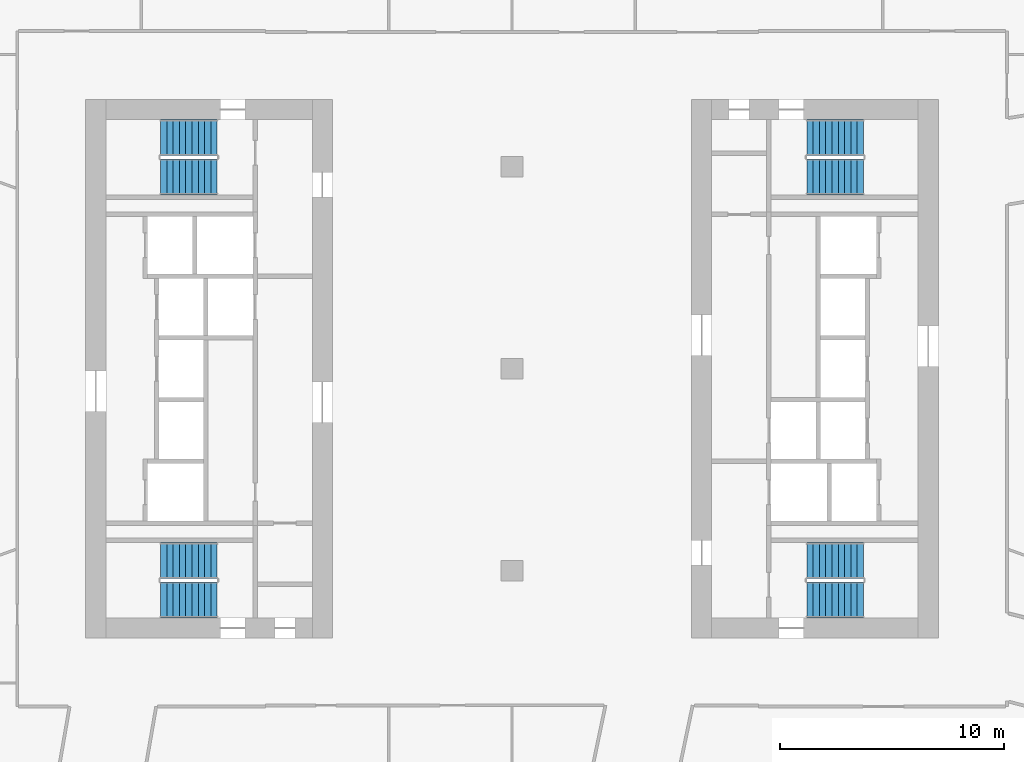
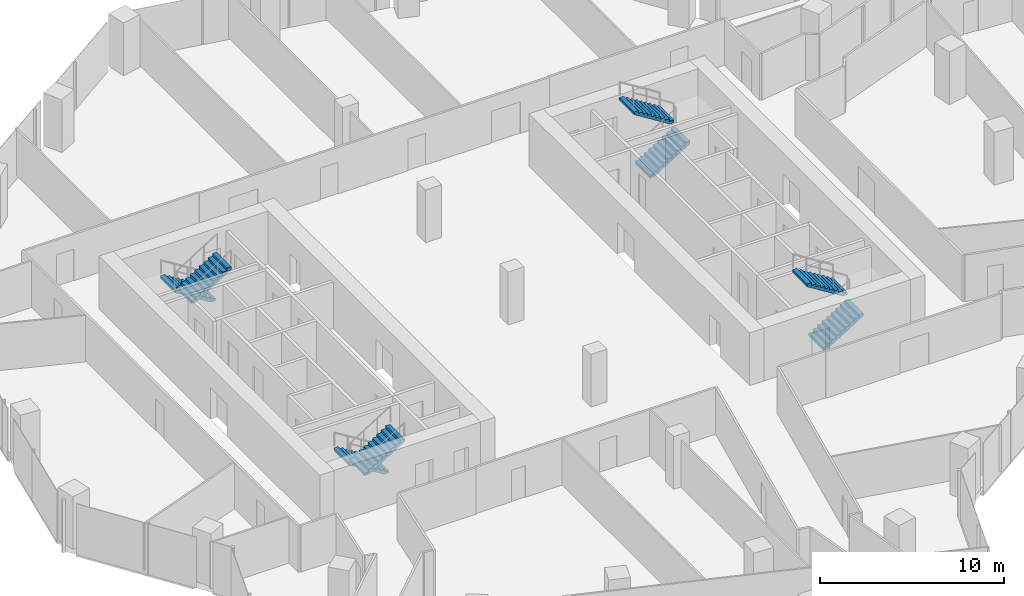
# One storey, part 28 of 32: 8 stair flights, 4 elements without a shape of their own.
"""IFC4 building model written with IfcOpenShell, lengths in metres."""

import ifcopenshell
import ifcopenshell.guid

model = None  # the IFC model being written
_history = None  # IfcOwnerHistory: only IFC2X3 demands one
_inside = {}  # id of a spatial element -> (the spatial element, [elements in it])
_under = {}  # id of a project, library or spatial element -> (it, [spatial elements below it])
_declared = {}  # id of a project -> (the project, [libraries it declares])
_typed = {}  # id of a type object -> (the type object, [elements of that type])
_made_of = {}  # id of a material, layer set ... -> (it, [elements and type objects made of it])


def new_model(schema):
    """Start an empty IFC model of exactly this schema.

    Asked for "IFC4X3", IfcOpenShell would pick the latest addendum, in which some entities
    have other attributes; the version numbers below select the first issue.
    IFC2X3 requires an IfcOwnerHistory on every rooted entity: one is made here for all.
    """
    global model, _history
    if schema == "IFC4X3":
        model = ifcopenshell.file(schema_version=(4, 3, 0, 0))
    else:
        model = ifcopenshell.file(schema=schema)
    _inside.clear()
    _under.clear()
    _declared.clear()
    _typed.clear()
    _made_of.clear()
    _history = None
    if model.schema == "IFC2X3":
        org = make("IfcOrganization", Name="unknown")
        user = make(
            "IfcPersonAndOrganization",
            ThePerson=make("IfcPerson", FamilyName="unknown"),
            TheOrganization=org,
        )
        app = make(
            "IfcApplication",
            ApplicationDeveloper=org,
            Version="unknown",
            ApplicationFullName="unknown",
            ApplicationIdentifier="unknown",
        )
        _history = make(
            "IfcOwnerHistory",
            OwningUser=user,
            OwningApplication=app,
            ChangeAction="ADDED",
            CreationDate=0,
        )
    return model


def make(cls, **values):
    """One entity of the class cls with the attributes given. An attribute that is None is left unset."""
    return model.create_entity(
        cls, **{name: value for name, value in values.items() if value is not None}
    )


def rooted(cls, **values):
    """An entity with a GlobalId (a new one), such as an element, a storey or a relation."""
    return make(cls, GlobalId=ifcopenshell.guid.new(), OwnerHistory=_history, **values)


def si_unit(unit_type, name, prefix=None):
    """IfcSIUnit, for example si_unit("LENGTHUNIT", "METRE", prefix="MILLI")."""
    return make("IfcSIUnit", UnitType=unit_type, Prefix=prefix, Name=name)


def assignment(units):
    """IfcUnitAssignment: the units of a project."""
    return None if units is None else make("IfcUnitAssignment", Units=units)


def point(xyz):
    """IfcCartesianPoint."""
    return None if xyz is None else make("IfcCartesianPoint", Coordinates=xyz)


def direction(xyz):
    """IfcDirection."""
    return None if xyz is None else make("IfcDirection", DirectionRatios=xyz)


def frame(location, z_axis=None, x_axis=None):
    """IfcAxis2Placement3D, a coordinate frame: its origin and axes. An axis left out is left unset."""
    return make(
        "IfcAxis2Placement3D",
        Location=point(location),
        Axis=direction(z_axis),
        RefDirection=direction(x_axis),
    )


def origin():
    """The frame at (0, 0, 0) with its axes left unset."""
    return frame((0.0, 0.0, 0.0))


def place(relative_to, where):
    """IfcLocalPlacement: puts the frame where relative to a parent placement (None: the world)."""
    return make(
        "IfcLocalPlacement", PlacementRelTo=relative_to, RelativePlacement=where
    )


def context(
    kind, dimensions, precision=None, world=None, true_north=None, identifier=None
):
    """IfcGeometricRepresentationContext, for example the 3D "Model" context."""
    return make(
        "IfcGeometricRepresentationContext",
        ContextIdentifier=identifier,
        ContextType=kind,
        CoordinateSpaceDimension=dimensions,
        Precision=precision,
        WorldCoordinateSystem=world,
        TrueNorth=true_north,
    )


def subcontext(parent, identifier, kind, view, scale=None):
    """IfcGeometricRepresentationSubContext, for example "Body" below "Model"."""
    return make(
        "IfcGeometricRepresentationSubContext",
        ContextIdentifier=identifier,
        ContextType=kind,
        ParentContext=parent,
        TargetScale=scale,
        TargetView=view,
    )


def project(units=None, contexts=None):
    """IfcProject with its units and contexts."""
    return rooted(
        "IfcProject",
        Name="project",
        RepresentationContexts=contexts,
        UnitsInContext=assignment(units),
    )


def spatial(cls, under=None, at=None, **own):
    """A site, building, storey or space (cls), placed at a placement, below another one or the project."""
    s = rooted(cls, ObjectPlacement=at, **own)
    if under is not None:
        _under.setdefault(under.id(), (under, []))[1].append(s)
    return s


def polyline(points):
    """IfcPolyline through the points."""
    return make("IfcPolyline", Points=[point(p) for p in points])


def outline(outer, holes=None, kind="AREA"):
    """IfcArbitraryClosedProfileDef: a profile drawn as a closed curve; with holes, ...WithVoids."""
    if holes is None:
        return make("IfcArbitraryClosedProfileDef", ProfileType=kind, OuterCurve=outer)
    return make(
        "IfcArbitraryProfileDefWithVoids",
        ProfileType=kind,
        OuterCurve=outer,
        InnerCurves=holes,
    )


def extrude(swept, where, along, depth):
    """IfcExtrudedAreaSolid: the profile swept, set in the frame where, extruded along a direction by depth."""
    return make(
        "IfcExtrudedAreaSolid",
        SweptArea=swept,
        Position=where,
        ExtrudedDirection=direction(along),
        Depth=depth,
    )


def shape(context_of_items, identifier, shape_type, items):
    """IfcShapeRepresentation: the items that make up one representation, for example the "Body"."""
    return make(
        "IfcShapeRepresentation",
        ContextOfItems=context_of_items,
        RepresentationIdentifier=identifier,
        RepresentationType=shape_type,
        Items=items,
    )


def material(Name=None, Category=None):
    """IfcMaterial."""
    return make("IfcMaterial", Name=Name, Category=Category)


def made_of(thing, what):
    """Note that an element or type object is made of a material, layer set ...; save() writes the relation."""
    if what is not None:
        _made_of.setdefault(what.id(), (what, []))[1].append(thing)
    return thing


def type_object(cls, material=None, **own):
    """A type object (cls), such as IfcWallType, which elements share."""
    return made_of(rooted(cls, **own), material)


def element(
    cls,
    number,
    at=None,
    inside=None,
    cuts=None,
    type_object=None,
    material=None,
    context=None,
    identifier="Body",
    shape_type=None,
    held_by="IfcProductDefinitionShape",
    body=None,
    shapes=None,
    **own,
):
    """One element of the class cls, such as IfcWall. Its Tag is "e" and its number.

    at: its placement. inside: the storey or other place that contains it. cuts: it is an
    opening in that element (IfcRelVoidsElement). A single representation is given by context,
    identifier, shape_type and body (its items); several are given by shapes. held_by: the class
    of the entity that holds the representations. save() writes the other relations.
    """
    e = rooted(cls, Tag="e%d" % number, ObjectPlacement=at, **own)
    if body is not None:
        shapes = [shape(context, identifier, shape_type, body)]
    if shapes is not None:
        e.Representation = make(held_by, Representations=shapes)
    if inside is not None:
        _inside.setdefault(inside.id(), (inside, []))[1].append(e)
    if cuts is not None:
        rooted(
            "IfcRelVoidsElement", RelatingBuildingElement=cuts, RelatedOpeningElement=e
        )
    if type_object is not None:
        _typed.setdefault(type_object.id(), (type_object, []))[1].append(e)
    return made_of(e, material)


def aggregate(whole, parts):
    """IfcRelAggregates: a whole, such as a stair, and the parts it consists of."""
    return rooted("IfcRelAggregates", RelatingObject=whole, RelatedObjects=parts)


def save(model, path):
    """Write the relations noted so far, then the file.

    IfcRelAggregates (storeys below a building ...), IfcRelContainedInSpatialStructure (elements
    in a storey), IfcRelDefinesByType, IfcRelAssociatesMaterial and IfcRelDeclares: one each for
    every whole, place, type object, material and project.
    """
    for whole, parts in _under.values():
        aggregate(whole, parts)
    for where, things in _inside.values():
        rooted(
            "IfcRelContainedInSpatialStructure",
            RelatedElements=things,
            RelatingStructure=where,
        )
    for kind, things in _typed.values():
        rooted("IfcRelDefinesByType", RelatedObjects=things, RelatingType=kind)
    for what, things in _made_of.values():
        rooted("IfcRelAssociatesMaterial", RelatedObjects=things, RelatingMaterial=what)
    for by, libraries in _declared.values():
        rooted("IfcRelDeclares", RelatingContext=by, RelatedDefinitions=libraries)
    model.write(path)


model = new_model("IFC4")

# Units and contexts
model_context = context("Model", 3, precision=1e-05, world=origin(), true_north=direction((0.0, 1.0)))
body_context = subcontext(model_context, "Body", "Model", "MODEL_VIEW")
ifc_project = project(units=[si_unit("LENGTHUNIT", "METRE"), si_unit("AREAUNIT", "SQUARE_METRE"), si_unit("VOLUMEUNIT", "CUBIC_METRE"), si_unit("PLANEANGLEUNIT", "RADIAN"), si_unit("MASSUNIT", "GRAM", prefix="KILO")], contexts=[model_context])

# Site, building, storey
site_placement = place(None, origin())
site = spatial("IfcSite", under=ifc_project, at=site_placement, CompositionType="ELEMENT")
building_placement = place(site_placement, origin())
building = spatial("IfcBuilding", under=site, at=building_placement, Name="Orlundy Tower", CompositionType="ELEMENT")
storey_placement = place(building_placement, frame((0.0, 0.0, 152.60009765625)))
storey = spatial("IfcBuildingStorey", under=building, at=storey_placement, Name="L39", CompositionType="ELEMENT", Elevation=152.60009765625)

# Stair, stair flights
ifc_material_1 = material(Name="Concrete C50/60", Category="concrete")
stair_type = type_object("IfcStairType", Name="Exit Stair 20 risers", PredefinedType="HALF_TURN_STAIR", material=ifc_material_1)
stair_1_placement = place(storey_placement, origin())
stair_1 = element("IfcStair", 1, at=stair_1_placement, inside=storey, type_object=stair_type, Name="L39 Exit Stair ST-W1", PredefinedType="HALF_TURN_STAIR")
ifc_material_2 = material(Name="Concrete C50/60", Category="concrete")
stair_flight_type = type_object("IfcStairFlightType", Name="Stair Flight 10 risers", PredefinedType="STRAIGHT", material=ifc_material_2)
stair_flight_1_placement = place(storey_placement, frame((-13.139892578125, 10.300048828125, 0.0), z_axis=(0.0, 0.0, 1.0), x_axis=(-1.0, 0.0, 0.0)))
stair_flight_1 = element("IfcStairFlight", 2, at=stair_flight_1_placement, type_object=stair_flight_type, Name="ST-W1 flight 1", NumberOfRisers=10, NumberOfTreads=9, PredefinedType="STRAIGHT", RiserHeight=0.175, TreadLength=0.28, context=body_context, shape_type="SweptSolid", body=[
    extrude(outline(polyline([(0.0, 0.0), (0.0, 0.175048828125), (0.280029296875, 0.175048828125), (0.280029296875, 0.35009765625), (0.56005859375, 0.35009765625), (0.56005859375, 0.52490234375), (0.840087890625, 0.52490234375), (0.840087890625, 0.699951171875), (1.1201171875, 0.699951171875), (1.1201171875, 0.875), (1.39990234375, 0.875), (1.39990234375, 1.050048828125), (1.679931640625, 1.050048828125), (1.679931640625, 1.22509765625), (1.9599609375, 1.22509765625), (1.9599609375, 1.39990234375), (2.239990234375, 1.39990234375), (2.239990234375, 1.574951171875), (2.52001953125, 1.574951171875), (2.52001953125, 1.75), (2.52001953125, 1.398193359375), (0.28271484375, 0.0), (0.0, 0.0)])), frame((0.0, 0.800048828125, 0.0), z_axis=(0.0, -1.0, 0.0), x_axis=(1.0, 0.0, 0.0)), (0.0, 0.0, 1.0), 1.60009765625),
])
stair_flight_2_placement = place(storey_placement, frame((-15.659912109375, 8.550048828125, 1.75), z_axis=(0.0, 0.0, 1.0), x_axis=(1.0, 0.0, 0.0)))
stair_flight_2 = element("IfcStairFlight", 3, at=stair_flight_2_placement, type_object=stair_flight_type, Name="ST-W1 flight 2", NumberOfRisers=10, NumberOfTreads=9, PredefinedType="STRAIGHT", RiserHeight=0.175, TreadLength=0.28, context=body_context, shape_type="SweptSolid", body=[
    extrude(outline(polyline([(0.0, 0.0), (0.0, 0.175048828125), (0.280029296875, 0.175048828125), (0.280029296875, 0.35009765625), (0.56005859375, 0.35009765625), (0.56005859375, 0.52490234375), (0.840087890625, 0.52490234375), (0.840087890625, 0.699951171875), (1.1201171875, 0.699951171875), (1.1201171875, 0.875), (1.39990234375, 0.875), (1.39990234375, 1.050048828125), (1.679931640625, 1.050048828125), (1.679931640625, 1.22509765625), (1.9599609375, 1.22509765625), (1.9599609375, 1.39990234375), (2.239990234375, 1.39990234375), (2.239990234375, 1.574951171875), (2.52001953125, 1.574951171875), (2.52001953125, 1.75), (2.52001953125, 1.398193359375), (0.28271484375, 0.0), (0.0, 0.0)])), frame((0.0, 0.800048828125, 0.0), z_axis=(0.0, -1.0, 0.0), x_axis=(1.0, 0.0, 0.0)), (0.0, 0.0, 1.0), 1.60009765625),
])
aggregate(stair_1, [stair_flight_1, stair_flight_2])

stair_2_placement = place(storey_placement, origin())
stair_2 = element("IfcStair", 4, at=stair_2_placement, inside=storey, type_object=stair_type, Name="L39 Exit Stair ST-W2", PredefinedType="HALF_TURN_STAIR")
stair_flight_3_placement = place(storey_placement, frame((-13.139892578125, -8.550048828125, 0.0), z_axis=(0.0, 0.0, 1.0), x_axis=(-1.0, 0.0, 0.0)))
stair_flight_3 = element("IfcStairFlight", 5, at=stair_flight_3_placement, type_object=stair_flight_type, Name="ST-W2 flight 1", NumberOfRisers=10, NumberOfTreads=9, PredefinedType="STRAIGHT", RiserHeight=0.175, TreadLength=0.28, context=body_context, shape_type="SweptSolid", body=[
    extrude(outline(polyline([(0.0, 0.0), (0.0, 0.175048828125), (0.280029296875, 0.175048828125), (0.280029296875, 0.35009765625), (0.56005859375, 0.35009765625), (0.56005859375, 0.52490234375), (0.840087890625, 0.52490234375), (0.840087890625, 0.699951171875), (1.1201171875, 0.699951171875), (1.1201171875, 0.875), (1.39990234375, 0.875), (1.39990234375, 1.050048828125), (1.679931640625, 1.050048828125), (1.679931640625, 1.22509765625), (1.9599609375, 1.22509765625), (1.9599609375, 1.39990234375), (2.239990234375, 1.39990234375), (2.239990234375, 1.574951171875), (2.52001953125, 1.574951171875), (2.52001953125, 1.75), (2.52001953125, 1.398193359375), (0.28271484375, 0.0), (0.0, 0.0)])), frame((0.0, 0.800048828125, 0.0), z_axis=(0.0, -1.0, 0.0), x_axis=(1.0, 0.0, 0.0)), (0.0, 0.0, 1.0), 1.60009765625),
])
stair_flight_4_placement = place(storey_placement, frame((-15.659912109375, -10.300048828125, 1.75), z_axis=(0.0, 0.0, 1.0), x_axis=(1.0, 0.0, 0.0)))
stair_flight_4 = element("IfcStairFlight", 6, at=stair_flight_4_placement, type_object=stair_flight_type, Name="ST-W2 flight 2", NumberOfRisers=10, NumberOfTreads=9, PredefinedType="STRAIGHT", RiserHeight=0.175, TreadLength=0.28, context=body_context, shape_type="SweptSolid", body=[
    extrude(outline(polyline([(0.0, 0.0), (0.0, 0.175048828125), (0.280029296875, 0.175048828125), (0.280029296875, 0.35009765625), (0.56005859375, 0.35009765625), (0.56005859375, 0.52490234375), (0.840087890625, 0.52490234375), (0.840087890625, 0.699951171875), (1.1201171875, 0.699951171875), (1.1201171875, 0.875), (1.39990234375, 0.875), (1.39990234375, 1.050048828125), (1.679931640625, 1.050048828125), (1.679931640625, 1.22509765625), (1.9599609375, 1.22509765625), (1.9599609375, 1.39990234375), (2.239990234375, 1.39990234375), (2.239990234375, 1.574951171875), (2.52001953125, 1.574951171875), (2.52001953125, 1.75), (2.52001953125, 1.398193359375), (0.28271484375, 0.0), (0.0, 0.0)])), frame((0.0, 0.800048828125, 0.0), z_axis=(0.0, -1.0, 0.0), x_axis=(1.0, 0.0, 0.0)), (0.0, 0.0, 1.0), 1.60009765625),
])
aggregate(stair_2, [stair_flight_3, stair_flight_4])

stair_3_placement = place(storey_placement, origin())
stair_3 = element("IfcStair", 7, at=stair_3_placement, inside=storey, type_object=stair_type, Name="L39 Exit Stair ST-E1", PredefinedType="HALF_TURN_STAIR")
stair_flight_5_placement = place(storey_placement, frame((13.139892578125, -10.300048828125, 0.0), z_axis=(0.0, 0.0, 1.0), x_axis=(1.0, 0.0, 0.0)))
stair_flight_5 = element("IfcStairFlight", 8, at=stair_flight_5_placement, type_object=stair_flight_type, Name="ST-E1 flight 1", NumberOfRisers=10, NumberOfTreads=9, PredefinedType="STRAIGHT", RiserHeight=0.175, TreadLength=0.28, context=body_context, shape_type="SweptSolid", body=[
    extrude(outline(polyline([(0.0, 0.0), (0.0, 0.175048828125), (0.280029296875, 0.175048828125), (0.280029296875, 0.35009765625), (0.56005859375, 0.35009765625), (0.56005859375, 0.52490234375), (0.840087890625, 0.52490234375), (0.840087890625, 0.699951171875), (1.1201171875, 0.699951171875), (1.1201171875, 0.875), (1.39990234375, 0.875), (1.39990234375, 1.050048828125), (1.679931640625, 1.050048828125), (1.679931640625, 1.22509765625), (1.9599609375, 1.22509765625), (1.9599609375, 1.39990234375), (2.239990234375, 1.39990234375), (2.239990234375, 1.574951171875), (2.52001953125, 1.574951171875), (2.52001953125, 1.75), (2.52001953125, 1.398193359375), (0.28271484375, 0.0), (0.0, 0.0)])), frame((0.0, 0.800048828125, 0.0), z_axis=(0.0, -1.0, 0.0), x_axis=(1.0, 0.0, 0.0)), (0.0, 0.0, 1.0), 1.60009765625),
])
stair_flight_6_placement = place(storey_placement, frame((15.659912109375, -8.550048828125, 1.75), z_axis=(0.0, 0.0, 1.0), x_axis=(-1.0, 0.0, 0.0)))
stair_flight_6 = element("IfcStairFlight", 9, at=stair_flight_6_placement, type_object=stair_flight_type, Name="ST-E1 flight 2", NumberOfRisers=10, NumberOfTreads=9, PredefinedType="STRAIGHT", RiserHeight=0.175, TreadLength=0.28, context=body_context, shape_type="SweptSolid", body=[
    extrude(outline(polyline([(0.0, 0.0), (0.0, 0.175048828125), (0.280029296875, 0.175048828125), (0.280029296875, 0.35009765625), (0.56005859375, 0.35009765625), (0.56005859375, 0.52490234375), (0.840087890625, 0.52490234375), (0.840087890625, 0.699951171875), (1.1201171875, 0.699951171875), (1.1201171875, 0.875), (1.39990234375, 0.875), (1.39990234375, 1.050048828125), (1.679931640625, 1.050048828125), (1.679931640625, 1.22509765625), (1.9599609375, 1.22509765625), (1.9599609375, 1.39990234375), (2.239990234375, 1.39990234375), (2.239990234375, 1.574951171875), (2.52001953125, 1.574951171875), (2.52001953125, 1.75), (2.52001953125, 1.398193359375), (0.28271484375, 0.0), (0.0, 0.0)])), frame((0.0, 0.800048828125, 0.0), z_axis=(0.0, -1.0, 0.0), x_axis=(1.0, 0.0, 0.0)), (0.0, 0.0, 1.0), 1.60009765625),
])
aggregate(stair_3, [stair_flight_5, stair_flight_6])

stair_4_placement = place(storey_placement, origin())
stair_4 = element("IfcStair", 10, at=stair_4_placement, inside=storey, type_object=stair_type, Name="L39 Exit Stair ST-E2", PredefinedType="HALF_TURN_STAIR")
stair_flight_7_placement = place(storey_placement, frame((13.139892578125, 8.550048828125, 0.0), z_axis=(0.0, 0.0, 1.0), x_axis=(1.0, 0.0, 0.0)))
stair_flight_7 = element("IfcStairFlight", 11, at=stair_flight_7_placement, type_object=stair_flight_type, Name="ST-E2 flight 1", NumberOfRisers=10, NumberOfTreads=9, PredefinedType="STRAIGHT", RiserHeight=0.175, TreadLength=0.28, context=body_context, shape_type="SweptSolid", body=[
    extrude(outline(polyline([(0.0, 0.0), (0.0, 0.175048828125), (0.280029296875, 0.175048828125), (0.280029296875, 0.35009765625), (0.56005859375, 0.35009765625), (0.56005859375, 0.52490234375), (0.840087890625, 0.52490234375), (0.840087890625, 0.699951171875), (1.1201171875, 0.699951171875), (1.1201171875, 0.875), (1.39990234375, 0.875), (1.39990234375, 1.050048828125), (1.679931640625, 1.050048828125), (1.679931640625, 1.22509765625), (1.9599609375, 1.22509765625), (1.9599609375, 1.39990234375), (2.239990234375, 1.39990234375), (2.239990234375, 1.574951171875), (2.52001953125, 1.574951171875), (2.52001953125, 1.75), (2.52001953125, 1.398193359375), (0.28271484375, 0.0), (0.0, 0.0)])), frame((0.0, 0.800048828125, 0.0), z_axis=(0.0, -1.0, 0.0), x_axis=(1.0, 0.0, 0.0)), (0.0, 0.0, 1.0), 1.60009765625),
])
stair_flight_8_placement = place(storey_placement, frame((15.659912109375, 10.300048828125, 1.75), z_axis=(0.0, 0.0, 1.0), x_axis=(-1.0, 0.0, 0.0)))
stair_flight_8 = element("IfcStairFlight", 12, at=stair_flight_8_placement, type_object=stair_flight_type, Name="ST-E2 flight 2", NumberOfRisers=10, NumberOfTreads=9, PredefinedType="STRAIGHT", RiserHeight=0.175, TreadLength=0.28, context=body_context, shape_type="SweptSolid", body=[
    extrude(outline(polyline([(0.0, 0.0), (0.0, 0.175048828125), (0.280029296875, 0.175048828125), (0.280029296875, 0.35009765625), (0.56005859375, 0.35009765625), (0.56005859375, 0.52490234375), (0.840087890625, 0.52490234375), (0.840087890625, 0.699951171875), (1.1201171875, 0.699951171875), (1.1201171875, 0.875), (1.39990234375, 0.875), (1.39990234375, 1.050048828125), (1.679931640625, 1.050048828125), (1.679931640625, 1.22509765625), (1.9599609375, 1.22509765625), (1.9599609375, 1.39990234375), (2.239990234375, 1.39990234375), (2.239990234375, 1.574951171875), (2.52001953125, 1.574951171875), (2.52001953125, 1.75), (2.52001953125, 1.398193359375), (0.28271484375, 0.0), (0.0, 0.0)])), frame((0.0, 0.800048828125, 0.0), z_axis=(0.0, -1.0, 0.0), x_axis=(1.0, 0.0, 0.0)), (0.0, 0.0, 1.0), 1.60009765625),
])
aggregate(stair_4, [stair_flight_7, stair_flight_8])

save(model, "model.ifc")
